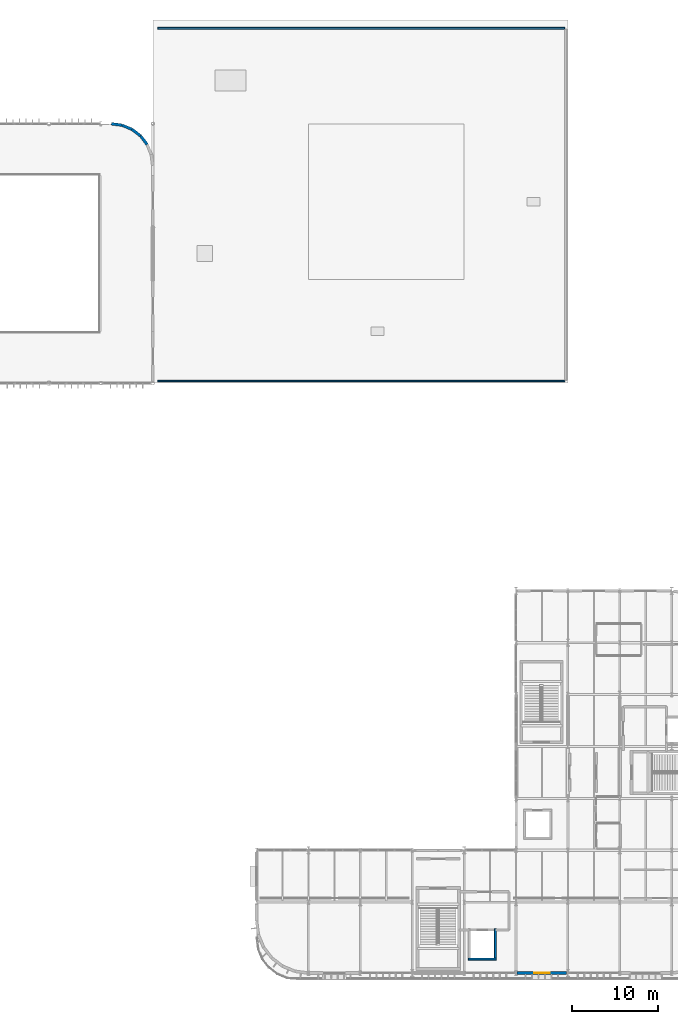
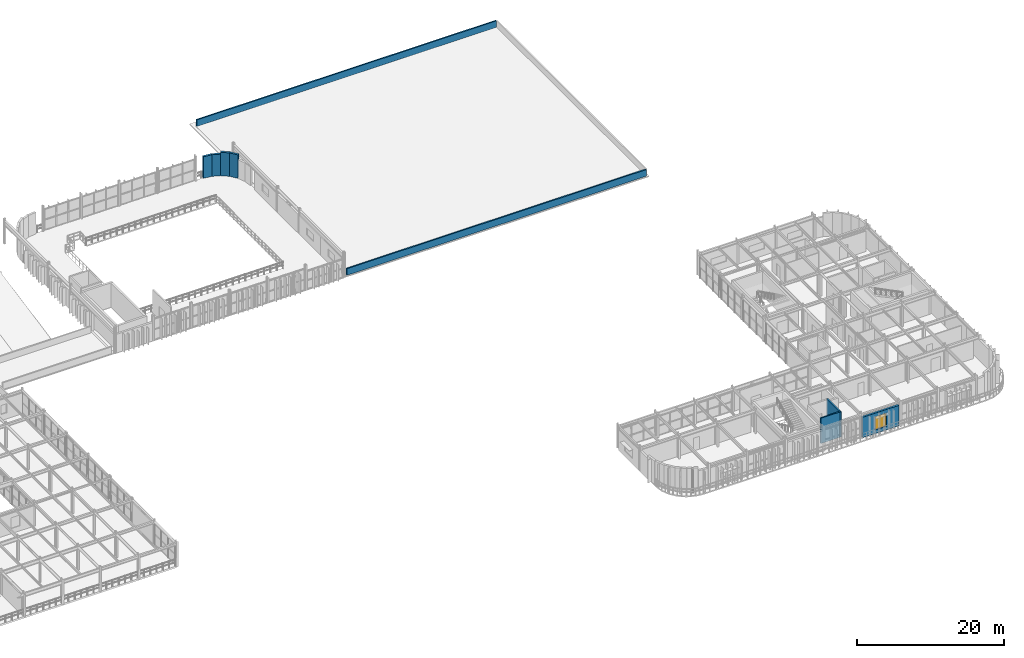
# One storey, part 63 of 83: 9 walls, 1 window, 1 opening.
"""IFC4 building model written with IfcOpenShell, lengths in metres."""

from ifc_helpers import new_model, si_unit, direction, frame, frame_2d, origin, place, context, subcontext, project, spatial, rectangle, extrude, material, layer, layer_set, type_object, element, fill, save


model = new_model("IFC4")

# Units and contexts
model_context = context("Model", 3, precision=1e-05, world=origin(), true_north=direction((0.0, 1.0)))
body_context = subcontext(model_context, "Body", "Model", "MODEL_VIEW")
ifc_project = project(units=[si_unit("LENGTHUNIT", "METRE"), si_unit("AREAUNIT", "SQUARE_METRE"), si_unit("VOLUMEUNIT", "CUBIC_METRE"), si_unit("PLANEANGLEUNIT", "RADIAN"), si_unit("MASSUNIT", "GRAM", prefix="KILO")], contexts=[model_context])

# Site, building, storey
site_placement = place(None, origin())
site = spatial("IfcSite", under=ifc_project, at=site_placement, CompositionType="ELEMENT")
building_placement = place(site_placement, origin())
building = spatial("IfcBuilding", under=site, at=building_placement, Name="Varnakota Square Police Headquarters", CompositionType="ELEMENT")
storey_placement = place(building_placement, frame((0.0, 0.0, 18.0)))
storey = spatial("IfcBuildingStorey", under=building, at=storey_placement, Name="L04", CompositionType="ELEMENT", Elevation=18.0)

# Walls
ifc_material_1 = material(Name="Concrete M40", Category="concrete")
ifc_layer_1 = layer(ifc_material_1, 0.22998046875, Name="Concrete M40")
ifc_layer_set_1 = layer_set([ifc_layer_1], Name="Concrete M40")
wall_type_1 = type_object("IfcWallType", Name="WL-CORE-230", PredefinedType="SHEAR", material=ifc_layer_set_1)
wall_1_placement = place(storey_placement, frame((132.485107421875, 2.39990234375, 0.0), z_axis=(0.0, 0.0, 1.0), x_axis=(1.0, 0.0, 0.0)))
element("IfcWall", 1, at=wall_1_placement, inside=storey, type_object=wall_type_1, Name="Lift shaft wall LF-FF1 L04 S", PredefinedType="SHEAR", context=body_context, shape_type="SweptSolid", body=[
    extrude(rectangle(XDim=3.22998046875, YDim=0.22998046875, at=frame_2d((1.614990234375, 0.0))), origin(), (0.0, 0.0, 1.0), 4.199951171875),
])
wall_2_placement = place(storey_placement, frame((135.60009765625, 2.284912109375, 0.0), z_axis=(0.0, 0.0, 1.0), x_axis=(0.0, 1.0, 0.0)))
element("IfcWall", 2, at=wall_2_placement, inside=storey, type_object=wall_type_1, Name="Lift shaft wall LF-FF1 L04 E", PredefinedType="SHEAR", context=body_context, shape_type="SweptSolid", body=[
    extrude(rectangle(XDim=3.630126953125, YDim=0.22998046875, at=frame_2d((1.81494140625, 0.0))), origin(), (0.0, 0.0, 1.0), 4.199951171875),
])

# Wall, opening, window
ifc_material_2 = material(Name="Precast concrete M40", Category="concrete")
ifc_layer_2 = layer(ifc_material_2, 0.320068359375, Name="Precast concrete M40")
ifc_layer_set_2 = layer_set([ifc_layer_2], Name="Precast concrete M40")
wall_type_2 = type_object("IfcWallType", Name="WL-EXT-320", PredefinedType="SOLIDWALL", material=ifc_layer_set_2)
wall_3_placement = place(storey_placement, frame((138.12890625, 0.800048828125, 0.0), z_axis=(0.0, 0.0, 1.0), x_axis=(1.0, 0.0, 0.0)))
wall_3 = element("IfcWall", 3, at=wall_3_placement, inside=storey, type_object=wall_type_2, Name="Exterior wall EW-L04-0248", PredefinedType="SOLIDWALL", context=body_context, shape_type="SweptSolid", body=[
    extrude(rectangle(XDim=5.70703125, YDim=0.320068359375, at=frame_2d((2.853515625, 0.0))), origin(), (0.0, 0.0, 1.0), 3.389892578125),
])
opening_placement = place(wall_3_placement, frame((1.95361328125, 0.0, 0.60009765625)))
opening = element("IfcOpeningElement", 4, at=opening_placement, cuts=wall_3, Name="Opening W11", PredefinedType="OPENING", context=body_context, shape_type="SweptSolid", body=[
    extrude(rectangle(XDim=1.800048828125, YDim=2.199951171875, at=frame_2d((0.89990234375, 1.10009765625))), frame((0.0, 0.169921875, 0.0), z_axis=(0.0, -1.0, 0.0), x_axis=(1.0, 0.0, 0.0)), (0.0, 0.0, 1.0), 0.340087890625),
])
ifc_material_3 = material(Name="Thermally Broken Aluminium Double-Glazed Window", Category="aluminium")
window_type = type_object("IfcWindowType", Name="WIN-11", PartitioningType="SINGLE_PANEL", PredefinedType="WINDOW", material=ifc_material_3)
window_placement = place(opening_placement, origin())
window = element("IfcWindow", 5, at=window_placement, inside=storey, type_object=window_type, Name="Window WN-L04-0041", OverallHeight=2.199951171875, OverallWidth=1.800048828125, PartitioningType="SINGLE_PANEL", PredefinedType="WINDOW", context=body_context, shape_type="SweptSolid", body=[
    extrude(rectangle(XDim=1.800048828125, YDim=2.199951171875, at=frame_2d((0.89990234375, 1.10009765625))), frame((0.0, 0.030029296875, 0.0), z_axis=(0.0, -1.0, 0.0), x_axis=(1.0, 0.0, 0.0)), (0.0, 0.0, 1.0), 0.06005859375),
])
fill(opening, window)

# Walls
for number, where, z_axis, x_axis, name in (
    (6, (95.35693359375, 96.60009765625, 0.0), (0.0, 0.0, 1.0), (-0.60891003886, 0.793239285824, 0.0), "Exterior wall EW-L04-0552"),
    (7, (94.593994140625, 97.593994140625, 0.0), (0.0, 0.0, 1.0), (-0.793239285824, 0.60891003886, 0.0), "Exterior wall EW-L04-0553"),
):
    element("IfcWall", number, at=place(storey_placement, frame(where, z_axis=z_axis, x_axis=x_axis)), inside=storey, type_object=wall_type_2, Name=name, PredefinedType="SOLIDWALL", context=body_context, shape_type="SweptSolid", body=[
        extrude(rectangle(XDim=1.2529296875, YDim=0.320068359375, at=frame_2d((0.62646484375, 0.0))), origin(), (0.0, 0.0, 1.0), 3.89501953125),
    ])
for number, where, z_axis, x_axis, name in (
    (8, (93.60009765625, 98.35693359375, 0.0), (0.0, 0.0, 1.0), (-0.92389335771, 0.382650053678, 0.0), "Exterior wall EW-L04-0554"),
    (9, (92.4423828125, 98.83642578125, 0.0), (0.0, 0.0, 1.0), (-0.991444346045, 0.130530106475, 0.0), "Exterior wall EW-L04-0555"),
):
    element("IfcWall", number, at=place(storey_placement, frame(where, z_axis=z_axis, x_axis=x_axis)), inside=storey, type_object=wall_type_2, Name=name, PredefinedType="SOLIDWALL", context=body_context, shape_type="SweptSolid", body=[
        extrude(rectangle(XDim=1.253173828125, YDim=0.320068359375, at=frame_2d((0.62646484375, 0.0))), origin(), (0.0, 0.0, 1.0), 3.590087890625),
    ])
ifc_layer_3 = layer(ifc_material_2, 0.2099609375, Name="Precast concrete M40")
ifc_layer_set_3 = layer_set([ifc_layer_3], Name="Precast concrete M40")
wall_type_3 = type_object("IfcWallType", Name="WL-PAR-210", PredefinedType="PARAPET", material=ifc_layer_set_3)
for number, where, z_axis, x_axis, name in (
    (10, (96.554931640625, 69.25, 0.0), (0.0, 0.0, 1.0), (1.0, 0.0, 0.0), "Roof parapet wall PAR-L04-012"),
    (11, (143.64501953125, 110.050048828125, 0.0), (0.0, 0.0, 1.0), (-1.0, 0.0, 0.0), "Roof parapet wall PAR-L04-014"),
):
    element("IfcWall", number, at=place(storey_placement, frame(where, z_axis=z_axis, x_axis=x_axis)), inside=storey, type_object=wall_type_3, Name=name, PredefinedType="PARAPET", context=body_context, shape_type="SweptSolid", body=[
        extrude(rectangle(XDim=47.090087890625, YDim=0.2099609375, at=frame_2d((23.544921875, 0.0))), origin(), (0.0, 0.0, 1.0), 1.10009765625),
    ])

save(model, "model.ifc")
